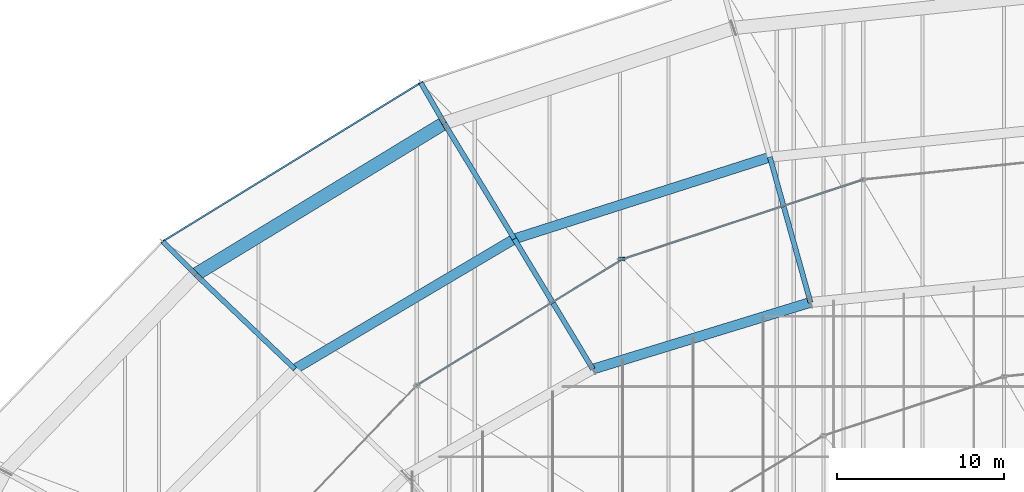
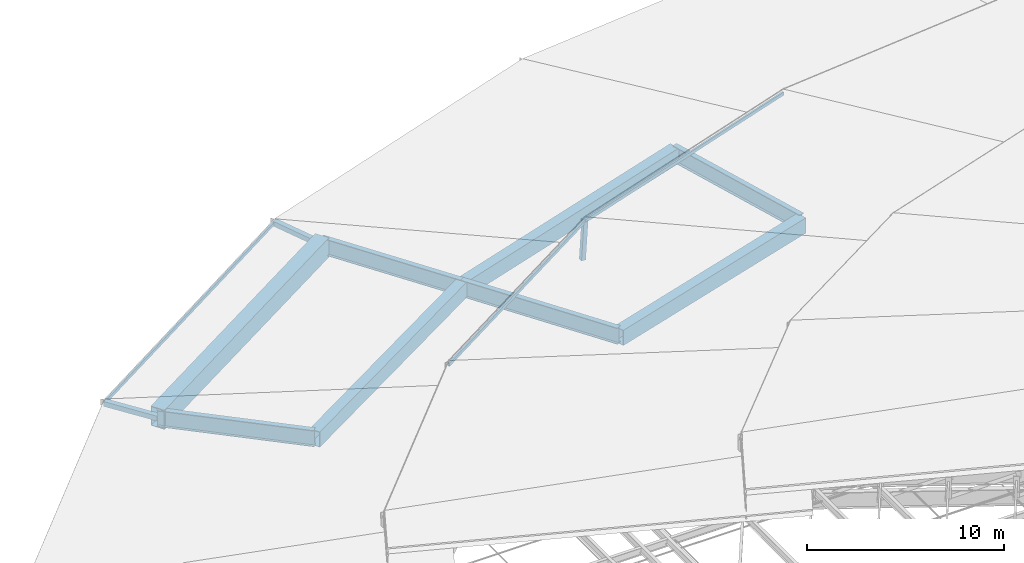
# One storey, part 100 of 184: 8 beams, 6 members.
"""IFC4 building model written with IfcOpenShell, lengths in metres."""

from ifc_helpers import new_model, si_unit, direction, frame, origin, origin_2d, place, context, subcontext, project, spatial, hollow_rectangle, i_section, extrude, material, material_profile, profile_set, type_object, element, save


model = new_model("IFC4")

# Units and contexts
model_context = context("Model", 3, precision=1e-05, world=origin(), true_north=direction((0.0, 1.0)))
body_context = subcontext(model_context, "Body", "Model", "MODEL_VIEW")
ifc_project = project(units=[si_unit("LENGTHUNIT", "METRE"), si_unit("AREAUNIT", "SQUARE_METRE"), si_unit("VOLUMEUNIT", "CUBIC_METRE"), si_unit("PLANEANGLEUNIT", "RADIAN"), si_unit("MASSUNIT", "GRAM", prefix="KILO")], contexts=[model_context])

# Site, building, storey
site_placement = place(None, origin())
site = spatial("IfcSite", under=ifc_project, at=site_placement, CompositionType="ELEMENT")
building_placement = place(site_placement, origin())
building = spatial("IfcBuilding", under=site, at=building_placement, Name="Kalgoora Escarpment Arena", CompositionType="ELEMENT")
storey_placement = place(building_placement, frame((0.0, 0.0, 27.60009765625)))
storey = spatial("IfcBuildingStorey", under=building, at=storey_placement, Name="Roof Level", CompositionType="ELEMENT", Elevation=27.60009765625)

# Beams
ifc_material_1 = material(Name="Structural steel Grade 350 (350 MPa)", Category="steel")
ifc_material_profile_1 = material_profile(ifc_material_1, hollow_rectangle(XDim=0.800048828125, YDim=1.199951171875, WallThickness=0.031982421875, at=origin_2d()))
ifc_profile_set_1 = profile_set([ifc_material_profile_1], Name="Structural steel Grade 350 (350 MPa)")
beam_type_1 = type_object("IfcBeamType", Name="BM-RING-BOX1200", PredefinedType="USERDEFINED", material=ifc_profile_set_1)
beam_1_placement = place(storey_placement, frame((56.5, 113.36328125, -1.4501953125), z_axis=(-0.854030640858, -0.520222706613, 0.0), x_axis=(0.520222706613, -0.854030640858, 0.0)))
element("IfcBeam", 1, at=beam_1_placement, inside=storey, type_object=beam_type_1, Name="Outer perimeter compression RING BEAM chord 09", ObjectType="GIRDER", PredefinedType="USERDEFINED", context=body_context, shape_type="SweptSolid", body=[
    extrude(hollow_rectangle(XDim=0.800048828125, YDim=1.199951171875, WallThickness=0.031982421875, at=origin_2d()), origin(), (0.0, 0.0, 1.0), 17.411865234375),
])
ifc_material_2 = material(Name="Structural steel Grade 350 (350 MPa)", Category="steel")
ifc_material_profile_2 = material_profile(ifc_material_2, hollow_rectangle(XDim=0.60009765625, YDim=0.949951171875, WallThickness=0.02490234375, at=origin_2d()))
ifc_profile_set_2 = profile_set([ifc_material_profile_2], Name="Structural steel Grade 350 (350 MPa)")
beam_type_2 = type_object("IfcBeamType", Name="BM-RING-BOX950", PredefinedType="USERDEFINED", material=ifc_profile_set_2)
beam_2_placement = place(storey_placement, frame((75.990966796875, 111.330322265625, -1.35009765625), z_axis=(-0.952389888786, -0.304882763925, 0.0), x_axis=(0.304882763925, -0.952389888786, 0.0)))
element("IfcBeam", 2, at=beam_2_placement, inside=storey, type_object=beam_type_2, Name="Concourse roof RING BEAM chord 08", ObjectType="GIRDER", PredefinedType="USERDEFINED", context=body_context, shape_type="SweptSolid", body=[
    extrude(hollow_rectangle(XDim=0.60009765625, YDim=0.949951171875, WallThickness=0.02490234375, at=origin_2d()), origin(), (0.0, 0.0, 1.0), 16.055419921875),
])
beam_3_placement = place(storey_placement, frame((78.423828125, 102.636962890625, -1.25), z_axis=(-0.956016223512, -0.293313791666, 0.0), x_axis=(0.293313791666, -0.956016223512, 0.0)))
element("IfcBeam", 3, at=beam_3_placement, inside=storey, type_object=beam_type_2, Name="Bowl compression RING BEAM chord 08", ObjectType="GIRDER", PredefinedType="USERDEFINED", context=body_context, shape_type="SweptSolid", body=[
    extrude(hollow_rectangle(XDim=0.60009765625, YDim=0.949951171875, WallThickness=0.02490234375, at=origin_2d()), origin(), (0.0, 0.0, 1.0), 13.623046875),
])
beam_4_placement = place(storey_placement, frame((60.699951171875, 106.435302734375, -1.35009765625), z_axis=(-0.860118993826, -0.51009343895, 0.0), x_axis=(0.51009343895, -0.860118993826, 0.0)))
element("IfcBeam", 4, at=beam_4_placement, inside=storey, type_object=beam_type_2, Name="Concourse roof RING BEAM chord 09", ObjectType="GIRDER", PredefinedType="USERDEFINED", context=body_context, shape_type="SweptSolid", body=[
    extrude(hollow_rectangle(XDim=0.60009765625, YDim=0.949951171875, WallThickness=0.02490234375, at=origin_2d()), origin(), (0.0, 0.0, 1.0), 15.26611328125),
])
ifc_material_3 = material(Name="Structural steel Grade 350 (350 MPa)", Category="steel")
ifc_material_profile_3 = material_profile(ifc_material_3, i_section(OverallWidth=0.300048828125, OverallDepth=1.010009765625, WebThickness=0.01611328125, FlangeThickness=0.030029296875, at=origin_2d()))
ifc_profile_set_3 = profile_set([ifc_material_profile_3], Name="Structural steel Grade 350 (350 MPa)")
beam_type_3 = type_object("IfcBeamType", Name="BM-TRUSS-CHORD", PredefinedType="USERDEFINED", material=ifc_profile_set_3)
beam_5_placement = place(storey_placement, frame((75.990966796875, 111.330322265625, -1.300048828125), z_axis=(0.269482027297, -0.962941899448, 0.01106052676), x_axis=(0.963000805722, 0.269498512386, 0.0)))
element("IfcBeam", 5, at=beam_5_placement, inside=storey, type_object=beam_type_3, Name="Inner radial petal support girder R08", ObjectType="GIRDER", PredefinedType="USERDEFINED", context=body_context, shape_type="SweptSolid", body=[
    extrude(i_section(OverallWidth=0.300048828125, OverallDepth=1.010009765625, WebThickness=0.01611328125, FlangeThickness=0.030029296875, at=origin_2d()), origin(), (0.0, 0.0, 1.0), 9.02783203125),
])
beam_6_placement = place(storey_placement, frame((56.5, 113.36328125, -1.400146484375), z_axis=(0.518368338661, -0.855068205906, 0.012354299765), x_axis=(0.85513346736, 0.518407902139, 0.0)))
element("IfcBeam", 6, at=beam_6_placement, inside=storey, type_object=beam_type_3, Name="Outer radial petal support girder R09", ObjectType="GIRDER", PredefinedType="USERDEFINED", context=body_context, shape_type="SweptSolid", body=[
    extrude(i_section(OverallWidth=0.300048828125, OverallDepth=1.010009765625, WebThickness=0.01611328125, FlangeThickness=0.030029296875, at=origin_2d()), origin(), (0.0, 0.0, 1.0), 8.102294921875),
])
beam_7_placement = place(storey_placement, frame((60.699951171875, 106.435302734375, -1.300048828125), z_axis=(0.516356882629, -0.856303229855, 0.010970337385), x_axis=(0.856354761826, 0.516387956771, 0.0)))
element("IfcBeam", 7, at=beam_7_placement, inside=storey, type_object=beam_type_3, Name="Inner radial petal support girder R09", ObjectType="GIRDER", PredefinedType="USERDEFINED", context=body_context, shape_type="SweptSolid", body=[
    extrude(i_section(OverallWidth=0.300048828125, OverallDepth=1.010009765625, WebThickness=0.01611328125, FlangeThickness=0.030029296875, at=origin_2d()), origin(), (0.0, 0.0, 1.0), 9.10205078125),
])
beam_8_placement = place(storey_placement, frame((41.629638671875, 104.30517578125, -1.400146484375), z_axis=(0.724076232267, -0.689612001228, 0.012202361594), x_axis=(0.689663347757, 0.724130144905, 0.0)))
element("IfcBeam", 8, at=beam_8_placement, inside=storey, type_object=beam_type_3, Name="Outer radial petal support girder R10", ObjectType="GIRDER", PredefinedType="USERDEFINED", context=body_context, shape_type="SweptSolid", body=[
    extrude(i_section(OverallWidth=0.300048828125, OverallDepth=1.010009765625, WebThickness=0.01611328125, FlangeThickness=0.030029296875, at=origin_2d()), origin(), (0.0, 0.0, 1.0), 8.203125),
])

# Members
ifc_material_4 = material(Name="Structural steel C450 (450 MPa)", Category="steel")
ifc_material_profile_4 = material_profile(ifc_material_4, hollow_rectangle(XDim=0.25, YDim=0.25, WallThickness=0.012451171875, at=origin_2d()))
ifc_profile_set_4 = profile_set([ifc_material_profile_4], Name="Structural steel C450 (450 MPa)")
member_type_1 = type_object("IfcMemberType", Name="MEM-PETAL-POST", PredefinedType="POST", material=ifc_profile_set_4)
member_1_placement = place(storey_placement, frame((67.06005859375, 105.222900390625, -1.080078125), z_axis=(0.059550556132, 0.0, 0.998225290836), x_axis=(0.0, 1.0, 0.0)))
element("IfcMember", 9, at=member_1_placement, inside=storey, type_object=member_type_1, Name="Petal RP2 vertical support post S09", PredefinedType="POST", context=body_context, shape_type="SweptSolid", body=[
    extrude(hollow_rectangle(XDim=0.25, YDim=0.25, WallThickness=0.012451171875, at=origin_2d()), origin(), (0.0, 0.0, 1.0), 2.34912109375),
])
ifc_material_5 = material(Name="Structural steel C350 (350 MPa)", Category="steel")
ifc_material_profile_5 = material_profile(ifc_material_5, hollow_rectangle(XDim=0.10009765625, YDim=0.199951171875, WallThickness=0.009033203125, at=origin_2d()))
ifc_profile_set_5 = profile_set([ifc_material_profile_5], Name="Structural steel C350 (350 MPa)")
member_type_2 = type_object("IfcMemberType", Name="MEM-PURLIN-RHS", PredefinedType="PURLIN", material=ifc_profile_set_5)
member_2_placement = place(storey_placement, frame((55.10009765625, 115.788330078125, -1.02001953125), z_axis=(-0.851766436126, -0.52392169099, 0.0), x_axis=(0.52392169099, -0.851766436126, 0.0)))
element("IfcMember", 10, at=member_2_placement, inside=storey, type_object=member_type_2, Name="Petal RP1 eave support ring purlin S09", PredefinedType="PURLIN", context=body_context, shape_type="SweptSolid", body=[
    extrude(hollow_rectangle(XDim=0.10009765625, YDim=0.199951171875, WallThickness=0.009033203125, at=origin_2d()), origin(), (0.0, 0.0, 1.0), 18.138916015625),
])
member_3_placement = place(storey_placement, frame((81.574462890625, 109.97802734375, 1.244873046875), z_axis=(-0.949401616554, -0.31406459604, 0.0), x_axis=(0.31406459604, -0.949401616554, 0.0)))
element("IfcMember", 11, at=member_3_placement, inside=storey, type_object=member_type_2, Name="Petal RP2 eave support ring purlin S08", PredefinedType="PURLIN", context=body_context, shape_type="SweptSolid", body=[
    extrude(hollow_rectangle(XDim=0.10009765625, YDim=0.199951171875, WallThickness=0.009033203125, at=origin_2d()), origin(), (0.0, 0.0, 1.0), 15.140625),
])
member_4_placement = place(storey_placement, frame((67.199951171875, 105.222900390625, 1.244873046875), z_axis=(-0.852622095619, -0.522528049067, 0.0), x_axis=(0.522528049067, -0.852622095619, 0.0)))
element("IfcMember", 12, at=member_4_placement, inside=storey, type_object=member_type_2, Name="Petal RP2 eave support ring purlin S09", PredefinedType="PURLIN", context=body_context, shape_type="SweptSolid", body=[
    extrude(hollow_rectangle(XDim=0.10009765625, YDim=0.199951171875, WallThickness=0.009033203125, at=origin_2d()), origin(), (0.0, 0.0, 1.0), 14.47705078125),
])
ifc_material_6 = material(Name="Structural steel C450 (450 MPa)", Category="steel")
ifc_material_profile_6 = material_profile(ifc_material_6, hollow_rectangle(XDim=0.300048828125, YDim=0.300048828125, WallThickness=0.012451171875, at=origin_2d()))
ifc_profile_set_6 = profile_set([ifc_material_profile_6], Name="Structural steel C450 (450 MPa)")
member_type_3 = type_object("IfcMemberType", Name="MEM-TRUSS-POST", PredefinedType="POST", material=ifc_profile_set_6)
member_5_placement = place(storey_placement, frame((56.5, 113.36328125, -1.400146484375), z_axis=(-0.494918394719, 0.857346427406, 0.141466907734), x_axis=(-0.866056369097, -0.49994636267, 0.0)))
element("IfcMember", 13, at=member_5_placement, inside=storey, type_object=member_type_3, Name="Petal RP1 eave strut S09", PredefinedType="POST", context=body_context, shape_type="SweptSolid", body=[
    extrude(hollow_rectangle(XDim=0.300048828125, YDim=0.300048828125, WallThickness=0.012451171875, at=origin_2d()), origin(), (0.0, 0.0, 1.0), 2.82861328125),
])
member_6_placement = place(storey_placement, frame((41.629638671875, 104.30517578125, -1.400146484375), z_axis=(-0.699993721034, 0.699993721034, 0.141483500897), x_axis=(-0.707106781187, -0.707106781187, 0.0)))
element("IfcMember", 14, at=member_6_placement, inside=storey, type_object=member_type_3, Name="Petal RP1 eave strut S10", PredefinedType="POST", context=body_context, shape_type="SweptSolid", body=[
    extrude(hollow_rectangle(XDim=0.300048828125, YDim=0.300048828125, WallThickness=0.012451171875, at=origin_2d()), origin(), (0.0, 0.0, 1.0), 2.828125),
])

save(model, "model.ifc")
